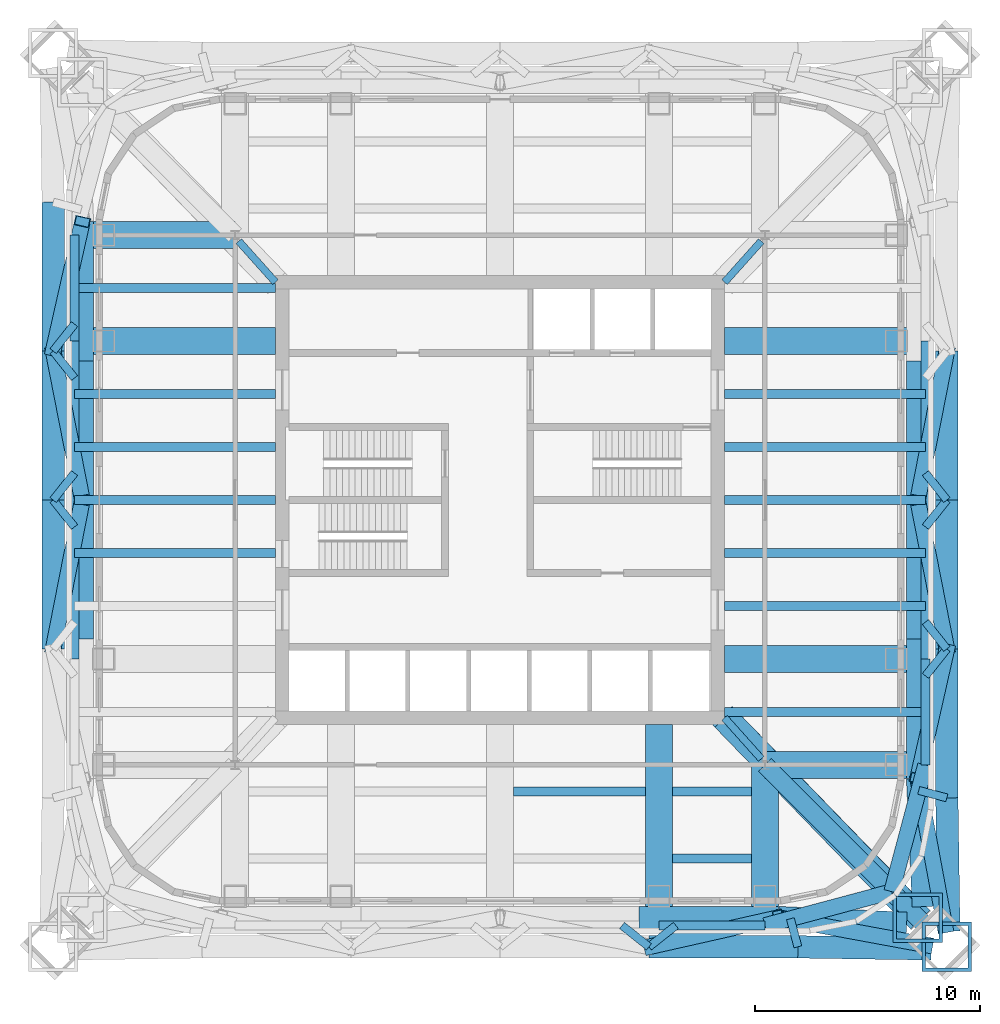
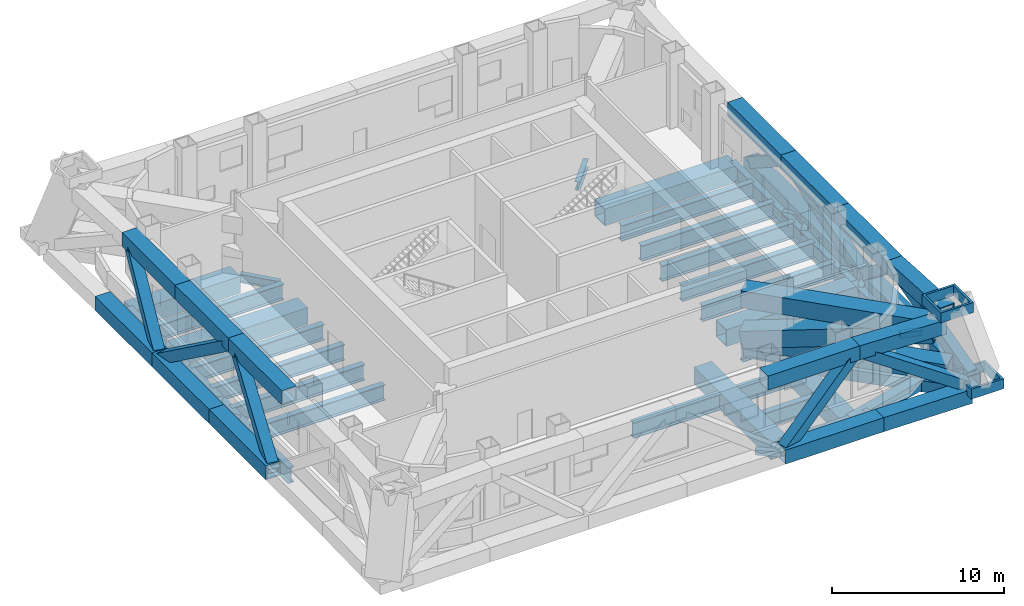
# One storey, part 2 of 9: 64 beams, 12 members.
"""IFC4 building model written with IfcOpenShell, lengths in metres."""

from ifc_helpers import new_model, si_unit, direction, frame, origin, origin_2d, place, context, subcontext, project, spatial, hollow_rectangle, i_section, extrude, material, material_profile, profile_set, type_object, element, save


model = new_model("IFC4")

# Units and contexts
model_context = context("Model", 3, precision=1e-05, world=origin(), true_north=direction((0.0, 1.0)))
body_context = subcontext(model_context, "Body", "Model", "MODEL_VIEW")
ifc_project = project(units=[si_unit("LENGTHUNIT", "METRE"), si_unit("AREAUNIT", "SQUARE_METRE"), si_unit("VOLUMEUNIT", "CUBIC_METRE"), si_unit("PLANEANGLEUNIT", "RADIAN"), si_unit("MASSUNIT", "GRAM", prefix="KILO")], contexts=[model_context])

# Site, building, storey
site_placement = place(None, origin())
site = spatial("IfcSite", under=ifc_project, at=site_placement, CompositionType="ELEMENT")
building_placement = place(site_placement, origin())
building = spatial("IfcBuilding", under=site, at=building_placement, Name="Turquesa Mirador Hotel Tower", CompositionType="ELEMENT")
storey_placement = place(building_placement, frame((0.0, 0.0, 221.300048828125)))
storey = spatial("IfcBuildingStorey", under=building, at=storey_placement, Name="L60", CompositionType="ELEMENT", Elevation=221.300048828125)

# Beams
ifc_material_1 = material(Name="Steel ASTM A572 Grade 50", Category="steel")
ifc_material_profile_1 = material_profile(ifc_material_1, hollow_rectangle(XDim=1.199951171875, YDim=1.199951171875, WallThickness=0.06005859375, at=origin_2d()), Name="BOX1200X1200X60")
ifc_profile_set_1 = profile_set([ifc_material_profile_1], Name="Steel ASTM A572 Grade 50")
beam_type_1 = type_object("IfcBeamType", Name="BEAM BOX1200X1200X60", PredefinedType="BEAM", material=ifc_profile_set_1)
beam_1_placement = place(storey_placement, frame((62.080078125, 26.050048828125, -0.85009765625), z_axis=(0.0, 1.0, 0.0), x_axis=(-1.0, 0.0, 0.0)))
element("IfcBeam", 1, at=beam_1_placement, inside=storey, type_object=beam_type_1, Name="GD-L60-S-+7.08", PredefinedType="BEAM", context=body_context, shape_type="SweptSolid", body=[
    extrude(hollow_rectangle(XDim=1.199951171875, YDim=1.199951171875, WallThickness=0.06005859375, at=origin_2d()), origin(), (0.0, 0.0, 1.0), 8.949951171875),
])
beam_2_placement = place(storey_placement, frame((66.800048828125, 26.050048828125, -0.85009765625), z_axis=(0.0, 1.0, 0.0), x_axis=(-1.0, 0.0, 0.0)))
element("IfcBeam", 2, at=beam_2_placement, inside=storey, type_object=beam_type_1, Name="GK-L60-S-+11.80", PredefinedType="BEAM", context=body_context, shape_type="SweptSolid", body=[
    extrude(hollow_rectangle(XDim=1.199951171875, YDim=1.199951171875, WallThickness=0.06005859375, at=origin_2d()), origin(), (0.0, 0.0, 1.0), 7.14990234375),
])
for number, where, z_axis, x_axis, name in (
    (3, (73.949951171875, 37.919921875, -0.85009765625), (-1.0, 0.0, 0.0), (0.0, -1.0, 0.0), "GD-L60-E--7.08"),
    (4, (73.949951171875, 52.080078125, -0.85009765625), (-1.0, 0.0, 0.0), (0.0, -1.0, 0.0), "GD-L60-E-+7.08"),
):
    element("IfcBeam", number, at=place(storey_placement, frame(where, z_axis=z_axis, x_axis=x_axis)), inside=storey, type_object=beam_type_1, Name=name, PredefinedType="BEAM", context=body_context, shape_type="SweptSolid", body=[
        extrude(hollow_rectangle(XDim=1.199951171875, YDim=1.199951171875, WallThickness=0.06005859375, at=origin_2d()), origin(), (0.0, 0.0, 1.0), 8.949951171875),
    ])
beam_3_placement = place(storey_placement, frame((73.949951171875, 33.199951171875, -0.85009765625), z_axis=(-1.0, 0.0, 0.0), x_axis=(0.0, -1.0, 0.0)))
element("IfcBeam", 5, at=beam_3_placement, inside=storey, type_object=beam_type_1, Name="GK-L60-E--11.80", PredefinedType="BEAM", context=body_context, shape_type="SweptSolid", body=[
    extrude(hollow_rectangle(XDim=1.199951171875, YDim=1.199951171875, WallThickness=0.06005859375, at=origin_2d()), origin(), (0.0, 0.0, 1.0), 7.14990234375),
])
beam_4_placement = place(storey_placement, frame((36.050048828125, 52.080078125, -0.85009765625), z_axis=(1.0, 0.0, 0.0), x_axis=(0.0, 1.0, 0.0)))
element("IfcBeam", 6, at=beam_4_placement, inside=storey, type_object=beam_type_1, Name="GD-L60-W-+7.08", PredefinedType="BEAM", context=body_context, shape_type="SweptSolid", body=[
    extrude(hollow_rectangle(XDim=1.199951171875, YDim=1.199951171875, WallThickness=0.06005859375, at=origin_2d()), origin(), (0.0, 0.0, 1.0), 8.949951171875),
])
beam_5_placement = place(storey_placement, frame((36.050048828125, 56.800048828125, -0.85009765625), z_axis=(1.0, 0.0, 0.0), x_axis=(0.0, 1.0, 0.0)))
element("IfcBeam", 7, at=beam_5_placement, inside=storey, type_object=beam_type_1, Name="GK-L60-W-+11.80", PredefinedType="BEAM", context=body_context, shape_type="SweptSolid", body=[
    extrude(hollow_rectangle(XDim=1.199951171875, YDim=1.199951171875, WallThickness=0.06005859375, at=origin_2d()), origin(), (0.0, 0.0, 1.0), 7.14990234375),
])
ifc_material_2 = material(Name="Steel ASTM A572 Grade 50", Category="steel")
ifc_material_profile_2 = material_profile(ifc_material_2, hollow_rectangle(XDim=0.699951171875, YDim=0.699951171875, WallThickness=0.044921875, at=origin_2d()), Name="BOX700X700X45")
ifc_profile_set_2 = profile_set([ifc_material_profile_2], Name="Steel ASTM A572 Grade 50")
beam_type_2 = type_object("IfcBeamType", Name="BEAM BOX700X700X45", PredefinedType="BEAM", material=ifc_profile_set_2)
for number, where, z_axis, x_axis, name in (
    (8, (73.949951171875, 33.199951171875, -0.60009765625), (-0.258281892145, -0.966069595935, 0.0), (0.966069595935, -0.258281892145, 0.0), "KE-L60-4-0"),
    (9, (72.441650390625, 27.558349609375, -0.60009765625), (-0.966069595935, -0.258281892145, 0.0), (0.258281892145, -0.966069595935, 0.0), "KE-L60-4-1"),
):
    element("IfcBeam", number, at=place(storey_placement, frame(where, z_axis=z_axis, x_axis=x_axis)), inside=storey, type_object=beam_type_2, Name=name, PredefinedType="BEAM", context=body_context, shape_type="SweptSolid", body=[
        extrude(hollow_rectangle(XDim=0.699951171875, YDim=0.699951171875, WallThickness=0.044921875, at=origin_2d()), origin(), (0.0, 0.0, 1.0), 5.83984375),
    ])
ifc_material_3 = material(Name="Steel ASTM A572 Grade 50", Category="steel")
ifc_material_profile_3 = material_profile(ifc_material_3, hollow_rectangle(XDim=0.800048828125, YDim=0.800048828125, WallThickness=0.050048828125, at=origin_2d()), Name="BOX800X800X50")
ifc_profile_set_3 = profile_set([ifc_material_profile_3], Name="Steel ASTM A572 Grade 50")
beam_type_3 = type_object("IfcBeamType", Name="BEAM BOX800X800X50", PredefinedType="BEAM", material=ifc_profile_set_3)
beam_6_placement = place(storey_placement, frame((66.800048828125, 33.199951171875, -0.650146484375), z_axis=(0.707106781187, -0.707106781187, 0.0), x_axis=(0.707106781187, 0.707106781187, 0.0)))
element("IfcBeam", 10, at=beam_6_placement, inside=storey, type_object=beam_type_3, Name="KD-L60-4", PredefinedType="BEAM", context=body_context, shape_type="SweptSolid", body=[
    extrude(hollow_rectangle(XDim=0.800048828125, YDim=0.800048828125, WallThickness=0.050048828125, at=origin_2d()), origin(), (0.0, 0.0, 1.0), 10.080322265625),
])
ifc_material_4 = material(Name="Steel ASTM A992 Grade 50", Category="steel")
ifc_material_profile_4 = material_profile(ifc_material_4, i_section(OverallWidth=0.3251953125, OverallDepth=0.612060546875, WebThickness=0.0126953125, FlangeThickness=0.01904296875, at=origin_2d()), Name="W24X104")
ifc_profile_set_4 = profile_set([ifc_material_profile_4], Name="Steel ASTM A992 Grade 50")
beam_type_4 = type_object("IfcBeamType", Name="BEAM W24X104", PredefinedType="BEAM", material=ifc_profile_set_4)
for number, where, z_axis, x_axis, name in (
    (11, (66.634765625, 56.527099609375, -0.55615234375), (-0.666783216266, -0.745251730964, 0.0), (0.745251730964, -0.666783216266, 0.0), "KT-L60-1"),
    (12, (43.365234375, 56.527099609375, -0.55615234375), (0.666783216266, -0.745251730964, 0.0), (0.745251730964, 0.666783216266, 0.0), "KT-L60-2"),
    (13, (66.634765625, 33.472900390625, -0.55615234375), (-0.666783216266, 0.745251730964, 0.0), (-0.745251730964, -0.666783216266, 0.0), "KT-L60-4"),
):
    element("IfcBeam", number, at=place(storey_placement, frame(where, z_axis=z_axis, x_axis=x_axis)), inside=storey, type_object=beam_type_4, Name=name, PredefinedType="BEAM", context=body_context, shape_type="SweptSolid", body=[
        extrude(i_section(OverallWidth=0.3251953125, OverallDepth=0.612060546875, WebThickness=0.0126953125, FlangeThickness=0.01904296875, at=origin_2d()), origin(), (0.0, 0.0, 1.0), 2.45166015625),
    ])
ifc_material_5 = material(Name="Steel ASTM A992 Grade 50", Category="steel")
ifc_material_profile_5 = material_profile(ifc_material_5, i_section(OverallWidth=0.419189453125, OverallDepth=0.927001953125, WebThickness=0.019287109375, FlangeThickness=0.031982421875, at=origin_2d()), Name="W36X231")
ifc_profile_set_5 = profile_set([ifc_material_profile_5], Name="Steel ASTM A992 Grade 50")
beam_type_5 = type_object("IfcBeamType", Name="BEAM W36X231", PredefinedType="BEAM", material=ifc_profile_set_5)
for number, where, z_axis, x_axis, name in (
    (14, (62.080078125, 26.050048828125, -0.713623046875), (1.0, 0.0, 0.0), (0.0, 1.0, 0.0), "EB-L60-S-R"),
    (15, (73.949951171875, 33.199951171875, -0.713623046875), (0.0, 1.0, 0.0), (-1.0, 0.0, 0.0), "EB-L60-E-L"),
    (16, (36.050048828125, 52.080078125, -0.713623046875), (0.0, 1.0, 0.0), (-1.0, 0.0, 0.0), "EB-L60-W-R"),
):
    element("IfcBeam", number, at=place(storey_placement, frame(where, z_axis=z_axis, x_axis=x_axis)), inside=storey, type_object=beam_type_5, Name=name, PredefinedType="BEAM", context=body_context, shape_type="SweptSolid", body=[
        extrude(i_section(OverallWidth=0.419189453125, OverallDepth=0.927001953125, WebThickness=0.019287109375, FlangeThickness=0.031982421875, at=origin_2d()), origin(), (0.0, 0.0, 1.0), 4.719970703125),
    ])
ifc_material_6 = material(Name="Steel ASTM A992 Grade 50", Category="steel")
ifc_material_profile_6 = material_profile(ifc_material_6, i_section(OverallWidth=0.40380859375, OverallDepth=1.11767578125, WebThickness=0.026123046875, FlangeThickness=0.044921875, at=origin_2d()), Name="W44X335")
ifc_profile_set_6 = profile_set([ifc_material_profile_6], Name="Steel ASTM A992 Grade 50")
beam_type_6 = type_object("IfcBeamType", Name="BEAM W44X335", PredefinedType="BEAM", material=ifc_profile_set_6)
beam_7_placement = place(storey_placement, frame((55.60009765625, 32.01708984375, -0.808837890625), z_axis=(1.0, 0.0, 0.0), x_axis=(0.0, 1.0, 0.0)))
element("IfcBeam", 17, at=beam_7_placement, inside=storey, type_object=beam_type_6, Name="IB-L60-S-1-2", PredefinedType="BEAM", context=body_context, shape_type="SweptSolid", body=[
    extrude(i_section(OverallWidth=0.40380859375, OverallDepth=1.11767578125, WebThickness=0.026123046875, FlangeThickness=0.044921875, at=origin_2d()), origin(), (0.0, 0.0, 1.0), 5.8798828125),
])
for number, where, z_axis, x_axis, name in (
    (18, (62.679931640625, 32.01708984375, -0.808837890625), (1.0, 0.0, 0.0), (0.0, 1.0, 0.0), "IB-L60-S-1-3"),
    (19, (62.679931640625, 29.032958984375, -0.808837890625), (1.0, 0.0, 0.0), (0.0, 1.0, 0.0), "IB-L60-S-2-3"),
):
    element("IfcBeam", number, at=place(storey_placement, frame(where, z_axis=z_axis, x_axis=x_axis)), inside=storey, type_object=beam_type_6, Name=name, PredefinedType="BEAM", context=body_context, shape_type="SweptSolid", body=[
        extrude(i_section(OverallWidth=0.40380859375, OverallDepth=1.11767578125, WebThickness=0.026123046875, FlangeThickness=0.044921875, at=origin_2d()), origin(), (0.0, 0.0, 1.0), 3.52001953125),
    ])
for number, where, z_axis, x_axis, name in (
    (20, (73.949951171875, 35.56005859375, -0.808837890625), (-1.0, 0.0, 0.0), (0.0, -1.0, 0.0), "BM-L60-E--9.44"),
    (21, (73.949951171875, 40.280029296875, -0.808837890625), (-1.0, 0.0, 0.0), (0.0, -1.0, 0.0), "BM-L60-E--4.72"),
    (22, (73.949951171875, 42.639892578125, -0.808837890625), (-1.0, 0.0, 0.0), (0.0, -1.0, 0.0), "BM-L60-E--2.36"),
    (23, (73.949951171875, 45.0, -0.808837890625), (-1.0, 0.0, 0.0), (0.0, -1.0, 0.0), "BM-L60-E-+0.00"),
    (24, (73.949951171875, 47.360107421875, -0.808837890625), (-1.0, 0.0, 0.0), (0.0, -1.0, 0.0), "BM-L60-E-+2.36"),
    (25, (73.949951171875, 49.719970703125, -0.808837890625), (-1.0, 0.0, 0.0), (0.0, -1.0, 0.0), "BM-L60-E-+4.72"),
):
    element("IfcBeam", number, at=place(storey_placement, frame(where, z_axis=z_axis, x_axis=x_axis)), inside=storey, type_object=beam_type_6, Name=name, PredefinedType="BEAM", context=body_context, shape_type="SweptSolid", body=[
        extrude(i_section(OverallWidth=0.40380859375, OverallDepth=1.11767578125, WebThickness=0.026123046875, FlangeThickness=0.044921875, at=origin_2d()), origin(), (0.0, 0.0, 1.0), 8.949951171875),
    ])
beam_8_placement = place(storey_placement, frame((73.949951171875, 37.919921875, -0.808837890625), z_axis=(0.0, 1.0, 0.0), x_axis=(-1.0, 0.0, 0.0)))
element("IfcBeam", 26, at=beam_8_placement, inside=storey, type_object=beam_type_6, Name="EB-L60-E-C", PredefinedType="BEAM", context=body_context, shape_type="SweptSolid", body=[
    extrude(i_section(OverallWidth=0.40380859375, OverallDepth=1.11767578125, WebThickness=0.026123046875, FlangeThickness=0.044921875, at=origin_2d()), origin(), (0.0, 0.0, 1.0), 14.16015625),
])
for number, where, z_axis, x_axis, name in (
    (27, (36.050048828125, 42.639892578125, -0.808837890625), (1.0, 0.0, 0.0), (0.0, 1.0, 0.0), "BM-L60-W--2.36"),
    (28, (36.050048828125, 45.0, -0.808837890625), (1.0, 0.0, 0.0), (0.0, 1.0, 0.0), "BM-L60-W-+0.00"),
    (29, (36.050048828125, 47.360107421875, -0.808837890625), (1.0, 0.0, 0.0), (0.0, 1.0, 0.0), "BM-L60-W-+2.36"),
    (30, (36.050048828125, 49.719970703125, -0.808837890625), (1.0, 0.0, 0.0), (0.0, 1.0, 0.0), "BM-L60-W-+4.72"),
    (31, (36.050048828125, 54.43994140625, -0.808837890625), (1.0, 0.0, 0.0), (0.0, 1.0, 0.0), "BM-L60-W-+9.44"),
):
    element("IfcBeam", number, at=place(storey_placement, frame(where, z_axis=z_axis, x_axis=x_axis)), inside=storey, type_object=beam_type_6, Name=name, PredefinedType="BEAM", context=body_context, shape_type="SweptSolid", body=[
        extrude(i_section(OverallWidth=0.40380859375, OverallDepth=1.11767578125, WebThickness=0.026123046875, FlangeThickness=0.044921875, at=origin_2d()), origin(), (0.0, 0.0, 1.0), 8.949951171875),
    ])
beam_9_placement = place(storey_placement, frame((36.050048828125, 37.919921875, -0.808837890625), z_axis=(0.0, 1.0, 0.0), x_axis=(-1.0, 0.0, 0.0)))
element("IfcBeam", 32, at=beam_9_placement, inside=storey, type_object=beam_type_6, Name="EB-L60-W-C", PredefinedType="BEAM", context=body_context, shape_type="SweptSolid", body=[
    extrude(i_section(OverallWidth=0.40380859375, OverallDepth=1.11767578125, WebThickness=0.026123046875, FlangeThickness=0.044921875, at=origin_2d()), origin(), (0.0, 0.0, 1.0), 14.16015625),
])
ifc_material_7 = material(Name="Steel ASTM A572 Grade 50", Category="steel")
ifc_material_profile_7 = material_profile(ifc_material_7, hollow_rectangle(XDim=1.0, YDim=1.0, WallThickness=0.06005859375, at=origin_2d()), Name="BOX1000X1000X60")
ifc_profile_set_7 = profile_set([ifc_material_profile_7], Name="Steel ASTM A572 Grade 50")
beam_type_7 = type_object("IfcBeamType", Name="BELT TRUSS CHORD BOX1000X1000X60", PredefinedType="BEAM", material=ifc_profile_set_7)
beam_10_placement = place(storey_placement, frame((61.63330078125, 25.10009765625, -0.427734375), z_axis=(1.0, 0.0, 0.0), x_axis=(0.0, 1.0, 0.0)))
element("IfcBeam", 33, at=beam_10_placement, inside=storey, type_object=beam_type_7, Name="Belt truss bottom chord S", PredefinedType="BEAM", context=body_context, shape_type="SweptSolid", body=[
    extrude(hollow_rectangle(XDim=1.0, YDim=1.0, WallThickness=0.06005859375, at=origin_2d()), origin(), (0.0, 0.0, 1.0), 6.63330078125),
])
beam_11_placement = place(storey_placement, frame((61.199951171875, 26.39990234375, 4.199951171875), z_axis=(1.0, 0.0, 0.0), x_axis=(0.0, 1.0, 0.0)))
element("IfcBeam", 34, at=beam_11_placement, inside=storey, type_object=beam_type_7, Name="Belt truss top chord S", PredefinedType="BEAM", context=body_context, shape_type="SweptSolid", body=[
    extrude(hollow_rectangle(XDim=1.0, YDim=1.0, WallThickness=0.06005859375, at=origin_2d()), origin(), (0.0, 0.0, 1.0), 6.199951171875),
])
beam_12_placement = place(storey_placement, frame((68.2666015625, 25.10009765625, -0.427734375), z_axis=(0.999882659941, -0.015318823339, 0.0), x_axis=(0.015318823339, 0.999882659941, 0.0)))
element("IfcBeam", 35, at=beam_12_placement, inside=storey, type_object=beam_type_7, Name="Belt truss bottom chord S", PredefinedType="BEAM", context=body_context, shape_type="SweptSolid", body=[
    extrude(hollow_rectangle(XDim=1.0, YDim=1.0, WallThickness=0.06005859375, at=origin_2d()), origin(), (0.0, 0.0, 1.0), 5.9287109375),
])
beam_13_placement = place(storey_placement, frame((67.39990234375, 26.39990234375, 4.199951171875), z_axis=(0.999010983591, -0.044464082856, 0.0), x_axis=(0.044464082856, 0.999010983591, 0.0)))
element("IfcBeam", 36, at=beam_13_placement, inside=storey, type_object=beam_type_7, Name="Belt truss top chord S", PredefinedType="BEAM", context=body_context, shape_type="SweptSolid", body=[
    extrude(hollow_rectangle(XDim=1.0, YDim=1.0, WallThickness=0.06005859375, at=origin_2d()), origin(), (0.0, 0.0, 1.0), 5.7158203125),
])
beam_14_placement = place(storey_placement, frame((74.99072265625, 25.805419921875, -0.427734375), z_axis=(-0.015318823339, 0.999882659941, 0.0), x_axis=(-0.999882659941, -0.015318823339, 0.0)))
element("IfcBeam", 37, at=beam_14_placement, inside=storey, type_object=beam_type_7, Name="Belt truss bottom chord E", PredefinedType="BEAM", context=body_context, shape_type="SweptSolid", body=[
    extrude(hollow_rectangle(XDim=1.0, YDim=1.0, WallThickness=0.06005859375, at=origin_2d()), origin(), (0.0, 0.0, 1.0), 5.9287109375),
])
beam_15_placement = place(storey_placement, frame((73.854248046875, 26.889892578125, 4.199951171875), z_axis=(-0.044464082856, 0.999010983591, 0.0), x_axis=(-0.999010983591, -0.044464082856, 0.0)))
element("IfcBeam", 38, at=beam_15_placement, inside=storey, type_object=beam_type_7, Name="Belt truss top chord E", PredefinedType="BEAM", context=body_context, shape_type="SweptSolid", body=[
    extrude(hollow_rectangle(XDim=1.0, YDim=1.0, WallThickness=0.06005859375, at=origin_2d()), origin(), (0.0, 0.0, 1.0), 5.7158203125),
])
beam_16_placement = place(storey_placement, frame((74.89990234375, 31.7333984375, -0.427734375), z_axis=(0.0, 1.0, 0.0), x_axis=(-1.0, 0.0, 0.0)))
element("IfcBeam", 39, at=beam_16_placement, inside=storey, type_object=beam_type_7, Name="Belt truss bottom chord E", PredefinedType="BEAM", context=body_context, shape_type="SweptSolid", body=[
    extrude(hollow_rectangle(XDim=1.0, YDim=1.0, WallThickness=0.06005859375, at=origin_2d()), origin(), (0.0, 0.0, 1.0), 6.63330078125),
])
beam_17_placement = place(storey_placement, frame((73.60009765625, 32.60009765625, 4.199951171875), z_axis=(0.0, 1.0, 0.0), x_axis=(-1.0, 0.0, 0.0)))
element("IfcBeam", 40, at=beam_17_placement, inside=storey, type_object=beam_type_7, Name="Belt truss top chord E", PredefinedType="BEAM", context=body_context, shape_type="SweptSolid", body=[
    extrude(hollow_rectangle(XDim=1.0, YDim=1.0, WallThickness=0.06005859375, at=origin_2d()), origin(), (0.0, 0.0, 1.0), 6.199951171875),
])
beam_18_placement = place(storey_placement, frame((74.89990234375, 38.36669921875, -0.427734375), z_axis=(0.0, 1.0, 0.0), x_axis=(-1.0, 0.0, 0.0)))
element("IfcBeam", 41, at=beam_18_placement, inside=storey, type_object=beam_type_7, Name="Belt truss bottom chord E", PredefinedType="BEAM", context=body_context, shape_type="SweptSolid", body=[
    extrude(hollow_rectangle(XDim=1.0, YDim=1.0, WallThickness=0.06005859375, at=origin_2d()), origin(), (0.0, 0.0, 1.0), 6.63330078125),
])
beam_19_placement = place(storey_placement, frame((73.60009765625, 38.800048828125, 4.199951171875), z_axis=(0.0, 1.0, 0.0), x_axis=(-1.0, 0.0, 0.0)))
element("IfcBeam", 42, at=beam_19_placement, inside=storey, type_object=beam_type_7, Name="Belt truss top chord E", PredefinedType="BEAM", context=body_context, shape_type="SweptSolid", body=[
    extrude(hollow_rectangle(XDim=1.0, YDim=1.0, WallThickness=0.06005859375, at=origin_2d()), origin(), (0.0, 0.0, 1.0), 6.199951171875),
])
beam_20_placement = place(storey_placement, frame((74.89990234375, 45.0, -0.427734375), z_axis=(0.0, 1.0, 0.0), x_axis=(-1.0, 0.0, 0.0)))
element("IfcBeam", 43, at=beam_20_placement, inside=storey, type_object=beam_type_7, Name="Belt truss bottom chord E", PredefinedType="BEAM", context=body_context, shape_type="SweptSolid", body=[
    extrude(hollow_rectangle(XDim=1.0, YDim=1.0, WallThickness=0.06005859375, at=origin_2d()), origin(), (0.0, 0.0, 1.0), 6.63330078125),
])
beam_21_placement = place(storey_placement, frame((73.60009765625, 45.0, 4.199951171875), z_axis=(0.0, 1.0, 0.0), x_axis=(-1.0, 0.0, 0.0)))
element("IfcBeam", 44, at=beam_21_placement, inside=storey, type_object=beam_type_7, Name="Belt truss top chord E", PredefinedType="BEAM", context=body_context, shape_type="SweptSolid", body=[
    extrude(hollow_rectangle(XDim=1.0, YDim=1.0, WallThickness=0.06005859375, at=origin_2d()), origin(), (0.0, 0.0, 1.0), 6.199951171875),
])
beam_22_placement = place(storey_placement, frame((35.10009765625, 38.36669921875, -0.427734375), z_axis=(0.0, 1.0, 0.0), x_axis=(-1.0, 0.0, 0.0)))
element("IfcBeam", 45, at=beam_22_placement, inside=storey, type_object=beam_type_7, Name="Belt truss bottom chord W", PredefinedType="BEAM", context=body_context, shape_type="SweptSolid", body=[
    extrude(hollow_rectangle(XDim=1.0, YDim=1.0, WallThickness=0.06005859375, at=origin_2d()), origin(), (0.0, 0.0, 1.0), 6.63330078125),
])
beam_23_placement = place(storey_placement, frame((36.39990234375, 38.800048828125, 4.199951171875), z_axis=(0.0, 1.0, 0.0), x_axis=(-1.0, 0.0, 0.0)))
element("IfcBeam", 46, at=beam_23_placement, inside=storey, type_object=beam_type_7, Name="Belt truss top chord W", PredefinedType="BEAM", context=body_context, shape_type="SweptSolid", body=[
    extrude(hollow_rectangle(XDim=1.0, YDim=1.0, WallThickness=0.06005859375, at=origin_2d()), origin(), (0.0, 0.0, 1.0), 6.199951171875),
])
beam_24_placement = place(storey_placement, frame((35.10009765625, 45.0, -0.427734375), z_axis=(0.0, 1.0, 0.0), x_axis=(-1.0, 0.0, 0.0)))
element("IfcBeam", 47, at=beam_24_placement, inside=storey, type_object=beam_type_7, Name="Belt truss bottom chord W", PredefinedType="BEAM", context=body_context, shape_type="SweptSolid", body=[
    extrude(hollow_rectangle(XDim=1.0, YDim=1.0, WallThickness=0.06005859375, at=origin_2d()), origin(), (0.0, 0.0, 1.0), 6.63330078125),
])
beam_25_placement = place(storey_placement, frame((36.39990234375, 45.0, 4.199951171875), z_axis=(0.0, 1.0, 0.0), x_axis=(-1.0, 0.0, 0.0)))
element("IfcBeam", 48, at=beam_25_placement, inside=storey, type_object=beam_type_7, Name="Belt truss top chord W", PredefinedType="BEAM", context=body_context, shape_type="SweptSolid", body=[
    extrude(hollow_rectangle(XDim=1.0, YDim=1.0, WallThickness=0.06005859375, at=origin_2d()), origin(), (0.0, 0.0, 1.0), 6.199951171875),
])
beam_26_placement = place(storey_placement, frame((35.10009765625, 51.63330078125, -0.427734375), z_axis=(0.0, 1.0, 0.0), x_axis=(-1.0, 0.0, 0.0)))
element("IfcBeam", 49, at=beam_26_placement, inside=storey, type_object=beam_type_7, Name="Belt truss bottom chord W", PredefinedType="BEAM", context=body_context, shape_type="SweptSolid", body=[
    extrude(hollow_rectangle(XDim=1.0, YDim=1.0, WallThickness=0.06005859375, at=origin_2d()), origin(), (0.0, 0.0, 1.0), 6.63330078125),
])
beam_27_placement = place(storey_placement, frame((36.39990234375, 51.199951171875, 4.199951171875), z_axis=(0.0, 1.0, 0.0), x_axis=(-1.0, 0.0, 0.0)))
element("IfcBeam", 50, at=beam_27_placement, inside=storey, type_object=beam_type_7, Name="Belt truss top chord W", PredefinedType="BEAM", context=body_context, shape_type="SweptSolid", body=[
    extrude(hollow_rectangle(XDim=1.0, YDim=1.0, WallThickness=0.06005859375, at=origin_2d()), origin(), (0.0, 0.0, 1.0), 6.199951171875),
])

# Members
ifc_material_8 = material(Name="Steel ASTM A572 Grade 50", Category="steel")
ifc_material_profile_8 = material_profile(ifc_material_8, hollow_rectangle(XDim=0.699951171875, YDim=0.699951171875, WallThickness=0.044921875, at=origin_2d()), Name="BOX700X700X45")
ifc_profile_set_8 = profile_set([ifc_material_profile_8], Name="Steel ASTM A572 Grade 50")
member_type_1 = type_object("IfcMemberType", Name="BELT TRUSS DIAGONAL BOX700X700X45", PredefinedType="BRACE", material=ifc_profile_set_8)
member_1_placement = place(storey_placement, frame((61.63330078125, 25.10009765625, -0.427734375), z_axis=(0.768138651357, 0.173140143092, 0.61642964168), x_axis=(-0.219885630944, 0.975525657943, 0.0)))
element("IfcMember", 51, at=member_1_placement, inside=storey, type_object=member_type_1, Name="Belt truss diagonal S", PredefinedType="BRACE", context=body_context, shape_type="SweptSolid", body=[
    extrude(hollow_rectangle(XDim=0.699951171875, YDim=0.699951171875, WallThickness=0.044921875, at=origin_2d()), origin(), (0.0, 0.0, 1.0), 7.50732421875),
])
for number, where, z_axis, x_axis, name in (
    (52, (67.39990234375, 26.39990234375, 4.199951171875), (0.843784939461, -0.15570226013, -0.513598853317), (0.181464729903, 0.983397453628, 0.0), "Belt truss diagonal S"),
    (53, (74.834716796875, 25.909423828125, 0.12744140625), (-0.15570226013, 0.843784939461, 0.513598853317), (-0.983397453628, -0.181464729903, 0.0), "Belt truss diagonal E"),
):
    element("IfcMember", number, at=place(storey_placement, frame(where, z_axis=z_axis, x_axis=x_axis)), inside=storey, type_object=member_type_1, Name=name, PredefinedType="BRACE", context=body_context, shape_type="SweptSolid", body=[
        extrude(hollow_rectangle(XDim=0.699951171875, YDim=0.699951171875, WallThickness=0.044921875, at=origin_2d()), origin(), (0.0, 0.0, 1.0), 7.929443359375),
    ])
member_2_placement = place(storey_placement, frame((73.60009765625, 32.60009765625, 4.199951171875), z_axis=(0.173140143092, 0.768138651357, -0.61642964168), x_axis=(-0.975525657943, 0.219885630944, 0.0)))
element("IfcMember", 54, at=member_2_placement, inside=storey, type_object=member_type_1, Name="Belt truss diagonal E", PredefinedType="BRACE", context=body_context, shape_type="SweptSolid", body=[
    extrude(hollow_rectangle(XDim=0.699951171875, YDim=0.699951171875, WallThickness=0.044921875, at=origin_2d()), origin(), (0.0, 0.0, 1.0), 7.50732421875),
])
for number, where, z_axis, x_axis, name in (
    (55, (74.89990234375, 38.36669921875, -0.427734375), (-0.158671369919, 0.809748520039, 0.564916569648), (-0.981337277474, -0.19229443008, 0.0), "Belt truss diagonal E"),
    (56, (73.60009765625, 45.0, 4.199951171875), (0.158671369919, 0.809748520039, -0.564916569648), (-0.981337277474, 0.19229443008, 0.0), "Belt truss diagonal E"),
    (57, (35.10009765625, 38.36669921875, -0.427734375), (0.158671369919, 0.809748520039, 0.564916569648), (-0.981337277474, 0.19229443008, 0.0), "Belt truss diagonal W"),
    (58, (36.39990234375, 45.0, 4.199951171875), (-0.158671369919, 0.809748520039, -0.564916569648), (-0.981337277474, -0.19229443008, 0.0), "Belt truss diagonal W"),
):
    element("IfcMember", number, at=place(storey_placement, frame(where, z_axis=z_axis, x_axis=x_axis)), inside=storey, type_object=member_type_1, Name=name, PredefinedType="BRACE", context=body_context, shape_type="SweptSolid", body=[
        extrude(hollow_rectangle(XDim=0.699951171875, YDim=0.699951171875, WallThickness=0.044921875, at=origin_2d()), origin(), (0.0, 0.0, 1.0), 8.19189453125),
    ])
member_3_placement = place(storey_placement, frame((35.10009765625, 51.63330078125, -0.427734375), z_axis=(0.173140143092, 0.768138651357, 0.61642964168), x_axis=(-0.975525657943, 0.219885630944, 0.0)))
element("IfcMember", 59, at=member_3_placement, inside=storey, type_object=member_type_1, Name="Belt truss diagonal W", PredefinedType="BRACE", context=body_context, shape_type="SweptSolid", body=[
    extrude(hollow_rectangle(XDim=0.699951171875, YDim=0.699951171875, WallThickness=0.044921875, at=origin_2d()), origin(), (0.0, 0.0, 1.0), 7.50732421875),
])

# Beams
ifc_material_9 = material(Name="Steel ASTM A500 Grade C", Category="steel")
ifc_material_profile_9 = material_profile(ifc_material_9, hollow_rectangle(XDim=0.355712890625, YDim=0.355712890625, WallThickness=0.0146484375, at=origin_2d()), Name="HSS14X14X5/8")
ifc_profile_set_9 = profile_set([ifc_material_profile_9], Name="Steel ASTM A500 Grade C")
beam_type_8 = type_object("IfcBeamType", Name="BRACE STRUT HSS14X14X5/8", PredefinedType="BEAM", material=ifc_profile_set_9)
for number, where, z_axis, x_axis, name in (
    (60, (61.63330078125, 25.10009765625, -0.427734375), (-0.784049059149, 0.620698858423, 0.0), (-0.620698858423, -0.784049059149, 0.0), "Brace strut"),
    (61, (61.63330078125, 25.10009765625, -0.427734375), (0.784049059149, 0.620698858423, 0.0), (-0.620698858423, 0.784049059149, 0.0), "Brace strut"),
):
    element("IfcBeam", number, at=place(storey_placement, frame(where, z_axis=z_axis, x_axis=x_axis)), inside=storey, type_object=beam_type_8, Name=name, PredefinedType="BEAM", context=body_context, shape_type="SweptSolid", body=[
        extrude(hollow_rectangle(XDim=0.355712890625, YDim=0.355712890625, WallThickness=0.0146484375, at=origin_2d()), origin(), (0.0, 0.0, 1.0), 1.530517578125),
    ])
for number, where, z_axis, x_axis, name in (
    (62, (68.2666015625, 25.10009765625, -0.427734375), (-0.258365826948, 0.966047151782, 0.0), (-0.966047151782, -0.258365826948, 0.0), "Brace strut"),
    (63, (74.89990234375, 31.7333984375, -0.427734375), (-0.966047151782, 0.258365826948, 0.0), (-0.258365826948, -0.966047151782, 0.0), "Brace strut"),
):
    element("IfcBeam", number, at=place(storey_placement, frame(where, z_axis=z_axis, x_axis=x_axis)), inside=storey, type_object=beam_type_8, Name=name, PredefinedType="BEAM", context=body_context, shape_type="SweptSolid", body=[
        extrude(hollow_rectangle(XDim=0.355712890625, YDim=0.355712890625, WallThickness=0.0146484375, at=origin_2d()), origin(), (0.0, 0.0, 1.0), 1.29638671875),
    ])
for number, where, z_axis, x_axis, name in (
    (64, (74.89990234375, 38.36669921875, -0.427734375), (-0.620698858423, -0.784049059149, 0.0), (0.784049059149, -0.620698858423, 0.0), "Brace strut"),
    (65, (74.89990234375, 38.36669921875, -0.427734375), (-0.620698858423, 0.784049059149, 0.0), (-0.784049059149, -0.620698858423, 0.0), "Brace strut"),
    (66, (74.89990234375, 45.0, -0.427734375), (-0.620698858423, -0.784049059149, 0.0), (0.784049059149, -0.620698858423, 0.0), "Brace strut"),
    (67, (74.89990234375, 45.0, -0.427734375), (-0.620698858423, 0.784049059149, 0.0), (-0.784049059149, -0.620698858423, 0.0), "Brace strut"),
    (68, (35.10009765625, 45.0, -0.427734375), (0.620698858423, -0.784049059149, 0.0), (0.784049059149, 0.620698858423, 0.0), "Brace strut"),
    (69, (35.10009765625, 45.0, -0.427734375), (0.620698858423, 0.784049059149, 0.0), (-0.784049059149, 0.620698858423, 0.0), "Brace strut"),
    (70, (35.10009765625, 51.63330078125, -0.427734375), (0.620698858423, -0.784049059149, 0.0), (0.784049059149, 0.620698858423, 0.0), "Brace strut"),
    (71, (35.10009765625, 51.63330078125, -0.427734375), (0.620698858423, 0.784049059149, 0.0), (-0.784049059149, 0.620698858423, 0.0), "Brace strut"),
):
    element("IfcBeam", number, at=place(storey_placement, frame(where, z_axis=z_axis, x_axis=x_axis)), inside=storey, type_object=beam_type_8, Name=name, PredefinedType="BEAM", context=body_context, shape_type="SweptSolid", body=[
        extrude(hollow_rectangle(XDim=0.355712890625, YDim=0.355712890625, WallThickness=0.0146484375, at=origin_2d()), origin(), (0.0, 0.0, 1.0), 1.530517578125),
    ])

# Members
ifc_material_10 = material(Name="Cast steel ASTM A958 Grade SC8620 Class 80/50", Category="steel")
ifc_material_profile_10 = material_profile(ifc_material_10, hollow_rectangle(XDim=2.199951171875, YDim=2.199951171875, WallThickness=0.14990234375, at=origin_2d()), Name="NODE2200X2200X150")
ifc_profile_set_10 = profile_set([ifc_material_profile_10], Name="Cast steel ASTM A958 Grade SC8620 Class 80/50")
member_type_2 = type_object("IfcMemberType", Name="MEGA COLUMN NODE NODE2200X2200X150", PredefinedType="USERDEFINED", material=ifc_profile_set_10)
for number, where, z_axis, x_axis, name in (
    (72, (74.89990234375, 25.10009765625, -0.201904296875), (0.0, 0.0, 1.0), (1.0, 0.0, 0.0), "Mega column node M4 base"),
    (73, (73.60009765625, 26.39990234375, 4.889892578125), (0.0, 0.0, 1.0), (1.0, 0.0, 0.0), "Mega column node M4 head"),
):
    element("IfcMember", number, at=place(storey_placement, frame(where, z_axis=z_axis, x_axis=x_axis)), inside=storey, type_object=member_type_2, Name=name, ObjectType="MEGA COLUMN NODE", PredefinedType="USERDEFINED", context=body_context, shape_type="SweptSolid", body=[
        extrude(hollow_rectangle(XDim=2.199951171875, YDim=2.199951171875, WallThickness=0.14990234375, at=origin_2d()), origin(), (0.0, 0.0, 1.0), 0.7119140625),
    ])

# Beams
ifc_material_11 = material(Name="Steel ASTM A572 Grade 50", Category="steel")
ifc_material_profile_11 = material_profile(ifc_material_11, hollow_rectangle(XDim=1.199951171875, YDim=1.199951171875, WallThickness=0.080078125, at=origin_2d()), Name="BOX1200X1200X80")
ifc_profile_set_11 = profile_set([ifc_material_profile_11], Name="Steel ASTM A572 Grade 50")
beam_type_9 = type_object("IfcBeamType", Name="OUTRIGGER CHORD BOX1200X1200X80", PredefinedType="BEAM", material=ifc_profile_set_11)
beam_28_placement = place(storey_placement, frame((65.0, 35.300048828125, 0.64990234375), z_axis=(0.696299488255, -0.717751365485, 0.0), x_axis=(0.717751365485, 0.696299488255, 0.0)))
element("IfcBeam", 74, at=beam_28_placement, inside=storey, type_object=beam_type_9, Name="Outrigger bottom chord 4", PredefinedType="BEAM", context=body_context, shape_type="SweptSolid", body=[
    extrude(hollow_rectangle(XDim=1.199951171875, YDim=1.199951171875, WallThickness=0.080078125, at=origin_2d()), origin(), (0.0, 0.0, 1.0), 12.5302734375),
])
beam_29_placement = place(storey_placement, frame((65.0, 35.300048828125, 3.550048828125), z_axis=(0.695476731593, -0.718548617571, 0.0), x_axis=(0.718548617571, 0.695476731593, 0.0)))
element("IfcBeam", 75, at=beam_29_placement, inside=storey, type_object=beam_type_9, Name="Outrigger top chord 4", PredefinedType="BEAM", context=body_context, shape_type="SweptSolid", body=[
    extrude(hollow_rectangle(XDim=1.199951171875, YDim=1.199951171875, WallThickness=0.080078125, at=origin_2d()), origin(), (0.0, 0.0, 1.0), 11.544677734375),
])

# Member
ifc_material_12 = material(Name="Steel ASTM A572 Grade 50", Category="steel")
ifc_material_profile_12 = material_profile(ifc_material_12, hollow_rectangle(XDim=1.199951171875, YDim=1.199951171875, WallThickness=0.080078125, at=origin_2d()), Name="BOX1200X1200X80")
ifc_profile_set_12 = profile_set([ifc_material_profile_12], Name="Steel ASTM A572 Grade 50")
member_type_3 = type_object("IfcMemberType", Name="OUTRIGGER DIAGONAL BOX1200X1200X80", PredefinedType="BRACE", material=ifc_profile_set_12)
member_4_placement = place(storey_placement, frame((65.0, 35.300048828125, 0.64990234375), z_axis=(0.678806441121, -0.701325303506, 0.21763417506), x_axis=(0.718548617571, 0.695476731593, 0.0)))
element("IfcMember", 76, at=member_4_placement, inside=storey, type_object=member_type_3, Name="Outrigger diagonal 4", PredefinedType="BRACE", context=body_context, shape_type="SweptSolid", body=[
    extrude(hollow_rectangle(XDim=1.199951171875, YDim=1.199951171875, WallThickness=0.080078125, at=origin_2d()), origin(), (0.0, 0.0, 1.0), 11.828125),
])

save(model, "model.ifc")
